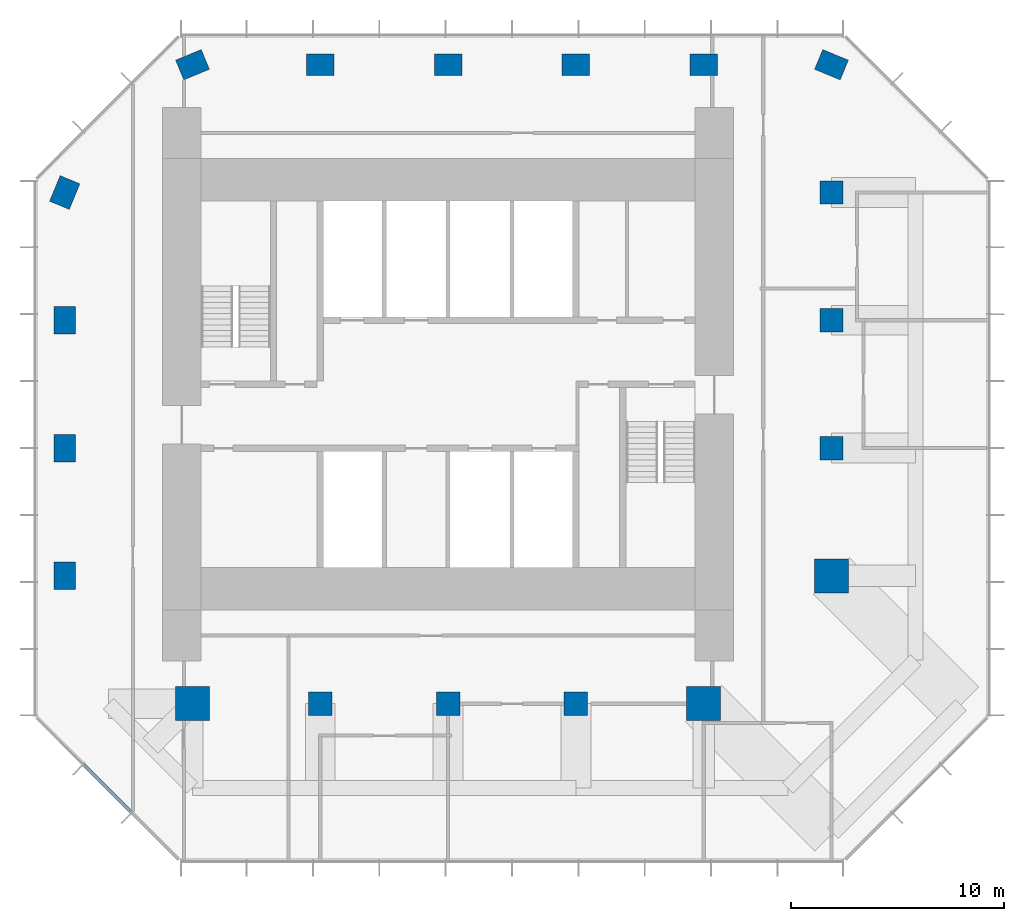
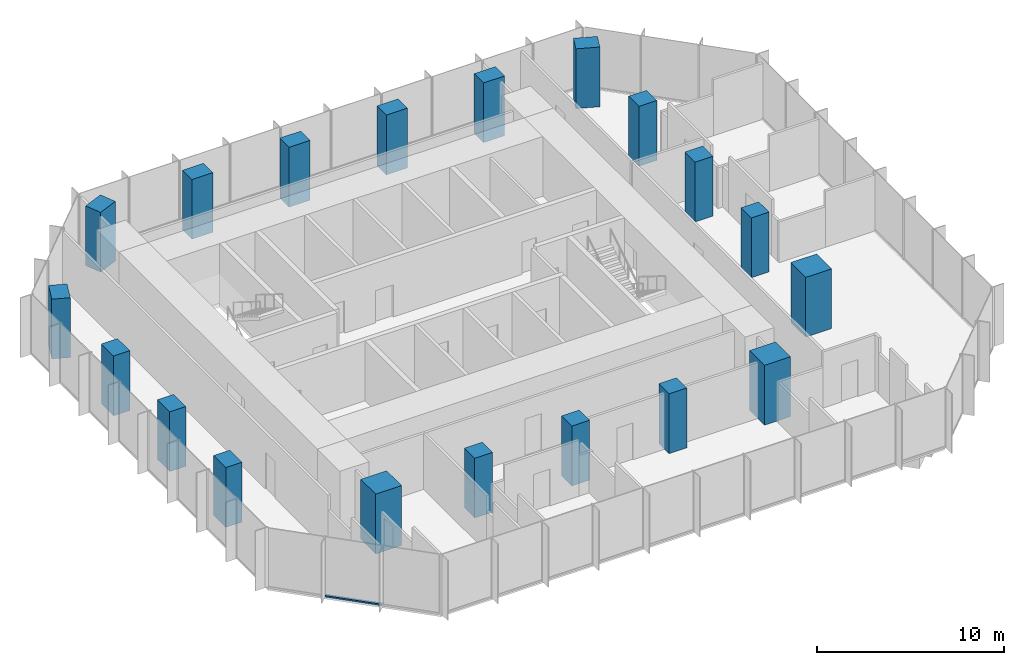
# One storey, part 1 of 11: 19 columns, 1 member, 1 element without a shape of its own.
"""IFC4 building model written with IfcOpenShell, lengths in metres."""

from ifc_helpers import new_model, si_unit, direction, frame, origin, origin_2d, place, context, subcontext, project, spatial, rectangle, extrude, material, layer, layer_set, material_profile, profile_set, type_object, element, aggregate, save


model = new_model("IFC4")

# Units and contexts
model_context = context("Model", 3, precision=1e-05, world=origin(), true_north=direction((0.0, 1.0)))
body_context = subcontext(model_context, "Body", "Model", "MODEL_VIEW")
ifc_project = project(units=[si_unit("LENGTHUNIT", "METRE"), si_unit("AREAUNIT", "SQUARE_METRE"), si_unit("VOLUMEUNIT", "CUBIC_METRE"), si_unit("PLANEANGLEUNIT", "RADIAN"), si_unit("MASSUNIT", "GRAM", prefix="KILO")], contexts=[model_context])

# Site, building, storey
site_placement = place(None, origin())
site = spatial("IfcSite", under=ifc_project, at=site_placement, CompositionType="ELEMENT")
building_placement = place(site_placement, origin())
building = spatial("IfcBuilding", under=site, at=building_placement, Name="Highveld Stack Headquarters", CompositionType="ELEMENT")
storey_placement = place(building_placement, frame((0.0, 0.0, 287.89990234375)))
storey = spatial("IfcBuildingStorey", under=building, at=storey_placement, Name="L71", CompositionType="ELEMENT", Elevation=287.89990234375)

# Columns
ifc_material_1 = material(Name="Concrete C60/75", Category="concrete")
ifc_material_profile_1 = material_profile(ifc_material_1, rectangle(XDim=1.10009765625, YDim=1.10009765625, at=origin_2d()), Name="RC 1100x1100")
ifc_profile_set_1 = profile_set([ifc_material_profile_1], Name="Concrete C60/75")
column_type_1 = type_object("IfcColumnType", Name="COLUMN RC 1100x1100 C60/75", PredefinedType="COLUMN", material=ifc_profile_set_1)
for number, where, z_axis, x_axis, name in (
    (1, (0.0, -12.0, 0.0), (0.0, 0.0, 1.0), (1.0, 0.0, 0.0), "Column 6/C L71"),
    (2, (6.0, -12.0, 0.0), (0.0, 0.0, 1.0), (1.0, 0.0, 0.0), "Column 7/C L71"),
    (3, (12.0, -12.0, 0.0), (0.0, 0.0, 1.0), (1.0, 0.0, 0.0), "Column 8/C L71"),
    (4, (24.0, 0.0, 0.0), (0.0, 0.0, 1.0), (1.0, 0.0, 0.0), "Column 10/E L71"),
    (5, (24.0, 6.0, 0.0), (0.0, 0.0, 1.0), (1.0, 0.0, 0.0), "Column 10/F L71"),
    (6, (24.0, 12.0, 0.0), (0.0, 0.0, 1.0), (1.0, 0.0, 0.0), "Column 10/G L71"),
):
    element("IfcColumn", number, at=place(storey_placement, frame(where, z_axis=z_axis, x_axis=x_axis)), inside=storey, type_object=column_type_1, Name=name, PredefinedType="COLUMN", context=body_context, shape_type="SweptSolid", body=[
        extrude(rectangle(XDim=1.10009765625, YDim=1.10009765625, at=origin_2d()), origin(), (0.0, 0.0, 1.0), 3.900146484375),
    ])
ifc_material_2 = material(Name="Concrete C60/75", Category="concrete")
ifc_material_profile_2 = material_profile(ifc_material_2, rectangle(XDim=1.300048828125, YDim=1.0, at=origin_2d()), Name="RC 1300x1000")
ifc_profile_set_2 = profile_set([ifc_material_profile_2], Name="Concrete C60/75")
column_type_2 = type_object("IfcColumnType", Name="COLUMN RC 1300x1000 C60/75", PredefinedType="COLUMN", material=ifc_profile_set_2)
for number, where, z_axis, x_axis, name in (
    (7, (-12.0, -6.0, 0.0), (0.0, 0.0, 1.0), (0.0, 1.0, 0.0), "Column 4/D L71"),
    (8, (-12.0, 0.0, 0.0), (0.0, 0.0, 1.0), (0.0, 1.0, 0.0), "Column 4/E L71"),
    (9, (-12.0, 6.0, 0.0), (0.0, 0.0, 1.0), (0.0, 1.0, 0.0), "Column 4/F L71"),
    (10, (-12.0, 12.0, 0.0), (0.0, 0.0, 1.0), (0.382683432365, 0.923879532511, 0.0), "Column 4/G L71"),
    (11, (-6.0, 18.0, 0.0), (0.0, 0.0, 1.0), (0.923879532511, 0.382683432365, 0.0), "Column 5/H L71"),
    (12, (0.0, 18.0, 0.0), (0.0, 0.0, 1.0), (1.0, 0.0, 0.0), "Column 6/H L71"),
    (13, (6.0, 18.0, 0.0), (0.0, 0.0, 1.0), (1.0, 0.0, 0.0), "Column 7/H L71"),
    (14, (12.0, 18.0, 0.0), (0.0, 0.0, 1.0), (1.0, 0.0, 0.0), "Column 8/H L71"),
    (15, (18.0, 18.0, 0.0), (0.0, 0.0, 1.0), (1.0, 0.0, 0.0), "Column 9/H L71"),
    (16, (24.0, 18.0, 0.0), (0.0, 0.0, 1.0), (0.923879532511, -0.382683432365, 0.0), "Column 10/H L71"),
):
    element("IfcColumn", number, at=place(storey_placement, frame(where, z_axis=z_axis, x_axis=x_axis)), inside=storey, type_object=column_type_2, Name=name, PredefinedType="COLUMN", context=body_context, shape_type="SweptSolid", body=[
        extrude(rectangle(XDim=1.300048828125, YDim=1.0, at=origin_2d()), origin(), (0.0, 0.0, 1.0), 3.900146484375),
    ])
ifc_material_3 = material(Name="Concrete C60/75", Category="concrete")
ifc_material_profile_3 = material_profile(ifc_material_3, rectangle(XDim=1.60009765625, YDim=1.60009765625, at=origin_2d()), Name="RC 1600x1600")
ifc_profile_set_3 = profile_set([ifc_material_profile_3], Name="Concrete C60/75")
column_type_3 = type_object("IfcColumnType", Name="COLUMN RC 1600x1600 C60/75", PredefinedType="COLUMN", material=ifc_profile_set_3)
for number, where, z_axis, x_axis, name in (
    (17, (-6.0, -12.0, 0.0), (0.0, 0.0, 1.0), (1.0, 0.0, 0.0), "Column 5/C L71"),
    (18, (18.0, -12.0, 0.0), (0.0, 0.0, 1.0), (1.0, 0.0, 0.0), "Column 9/C L71"),
    (19, (24.0, -6.0, 0.0), (0.0, 0.0, 1.0), (1.0, 0.0, 0.0), "Column 10/D L71"),
):
    element("IfcColumn", number, at=place(storey_placement, frame(where, z_axis=z_axis, x_axis=x_axis)), inside=storey, type_object=column_type_3, Name=name, PredefinedType="COLUMN", context=body_context, shape_type="SweptSolid", body=[
        extrude(rectangle(XDim=1.60009765625, YDim=1.60009765625, at=origin_2d()), origin(), (0.0, 0.0, 1.0), 3.900146484375),
    ])

# Curtain wall, member
ifc_material_4 = material(Name="Aluminium bronze anodised", Category="aluminium")
ifc_layer = layer(ifc_material_4, 0.199951171875)
ifc_layer_set = layer_set([ifc_layer], Name="Aluminium bronze anodised")
curtain_wall_type = type_object("IfcCurtainWallType", Name="CW5 EXECUTIVE UNITISED CURTAIN WALL", PredefinedType="NOTDEFINED", material=ifc_layer_set)
curtain_wall_placement = place(storey_placement, origin())
curtain_wall = element("IfcCurtainWall", 20, at=curtain_wall_placement, inside=storey, type_object=curtain_wall_type, Name="Curtain wall CW5 L71 SW", PredefinedType="NOTDEFINED")
ifc_material_5 = material(Name="Aluminium bronze anodised", Category="aluminium")
ifc_material_profile_4 = material_profile(ifc_material_5, rectangle(XDim=0.14990234375, YDim=0.10009765625, at=origin_2d()), Name="CW5 TRANSOM 150x100")
ifc_profile_set_4 = profile_set([ifc_material_profile_4], Name="Aluminium bronze anodised")
member_type = type_object("IfcMemberType", Name="CW5 STACK TRANSOM 150x100", PredefinedType="USERDEFINED", material=ifc_profile_set_4)
member_placement = place(storey_placement, frame((-11.103759765625, -14.876220703125, 0.050048828125), z_axis=(0.707106781187, -0.707106781187, 0.0), x_axis=(0.707106781187, 0.707106781187, 0.0)))
member = element("IfcMember", 21, at=member_placement, type_object=member_type, Name="CW5 transom L71 2.1", ObjectType="TRANSOM", PredefinedType="USERDEFINED", context=body_context, shape_type="SweptSolid", body=[
    extrude(rectangle(XDim=0.14990234375, YDim=0.10009765625, at=origin_2d()), origin(), (0.0, 0.0, 1.0), 3.150146484375),
])
aggregate(curtain_wall, [member])

save(model, "model.ifc")
